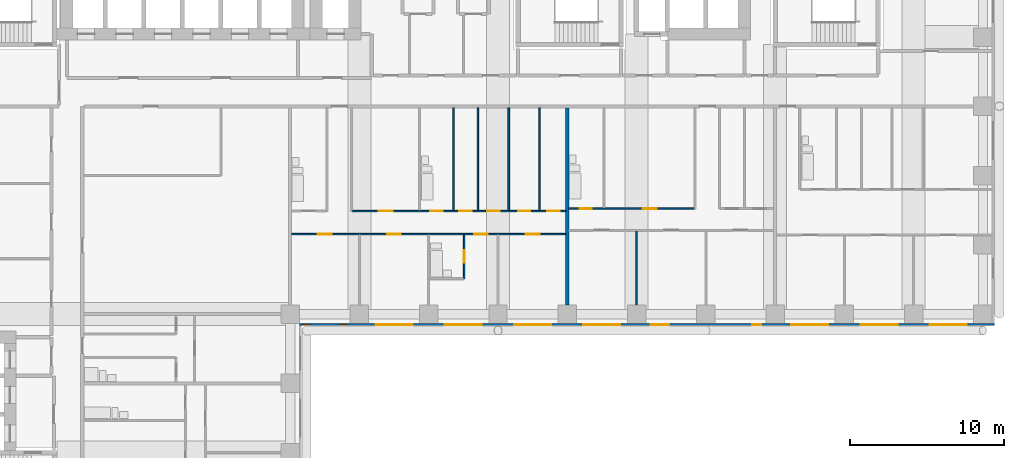
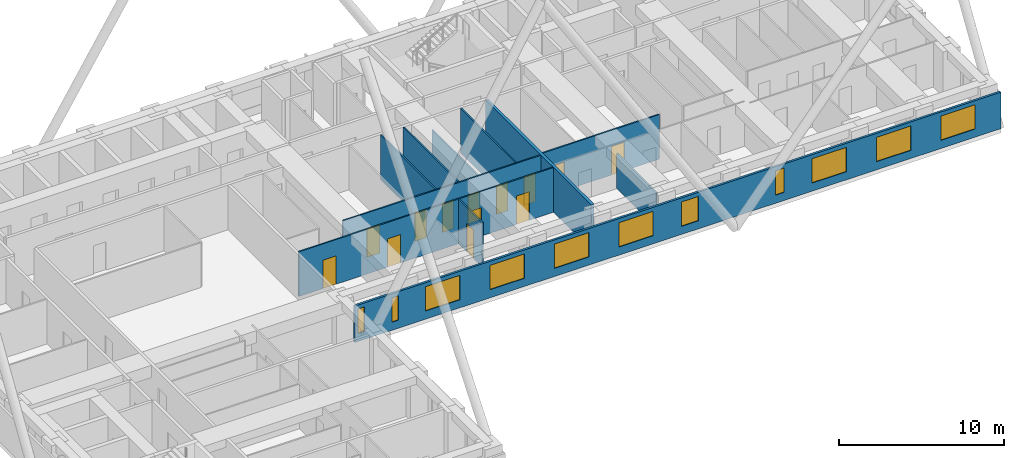
# One storey, part 7 of 13: 13 doors, 11 walls, 11 windows, 24 openings.
"""IFC4 building model written with IfcOpenShell, lengths in metres."""

from ifc_helpers import new_model, si_unit, direction, frame, frame_2d, origin, place, context, subcontext, project, spatial, rectangle, extrude, material, layer, layer_set, type_object, element, fill, save


model = new_model("IFC4")

# Units and contexts
model_context = context("Model", 3, precision=1e-05, world=origin(), true_north=direction((0.0, 1.0)))
body_context = subcontext(model_context, "Body", "Model", "MODEL_VIEW")
ifc_project = project(units=[si_unit("LENGTHUNIT", "METRE"), si_unit("AREAUNIT", "SQUARE_METRE"), si_unit("VOLUMEUNIT", "CUBIC_METRE"), si_unit("PLANEANGLEUNIT", "RADIAN"), si_unit("MASSUNIT", "GRAM", prefix="KILO")], contexts=[model_context])

# Site, building, storey
site_placement = place(None, origin())
site = spatial("IfcSite", under=ifc_project, at=site_placement, CompositionType="ELEMENT")
building_placement = place(site_placement, origin())
building = spatial("IfcBuilding", under=site, at=building_placement, Name="Firuza Court", CompositionType="ELEMENT")
storey_placement = place(building_placement, frame((0.0, 0.0, 50.60009765625)))
storey = spatial("IfcBuildingStorey", under=building, at=storey_placement, Name="L11", CompositionType="ELEMENT", Elevation=50.60009765625)

# Wall, opening, door
ifc_material_1 = material(Name="Moisture-resistant gypsum board partition")
ifc_layer_1 = layer(ifc_material_1, 0.10009765625)
ifc_layer_set_1 = layer_set([ifc_layer_1], Name="Moisture-resistant gypsum board partition")
wall_type_1 = type_object("IfcWallType", Name="Bathroom partition 100", PredefinedType="PLUMBINGWALL", material=ifc_layer_set_1)
wall_1_placement = place(storey_placement, frame((33.800048828125, 38.300048828125, 0.0), z_axis=(0.0, 0.0, 1.0), x_axis=(0.0, 1.0, 0.0)))
wall_1 = element("IfcWall", 1, at=wall_1_placement, inside=storey, type_object=wall_type_1, Name="Bathroom partition 100 L11", PredefinedType="PLUMBINGWALL", context=body_context, shape_type="SweptSolid", body=[
    extrude(rectangle(XDim=2.849853515625, YDim=0.10009765625, at=frame_2d((1.4248046875, 0.0))), origin(), (0.0, 0.0, 1.0), 3.2998046875),
])
opening_1_placement = place(wall_1_placement, frame((1.050048828125, 0.0, 0.0)))
opening_1 = element("IfcOpeningElement", 2, at=opening_1_placement, cuts=wall_1, Name="Opening D11043", PredefinedType="OPENING", context=body_context, shape_type="SweptSolid", body=[
    extrude(rectangle(XDim=0.800048828125, YDim=2.10009765625, at=frame_2d((0.39990234375, 1.050048828125))), frame((0.0, 0.06201171875, 0.0), z_axis=(0.0, -1.0, 0.0), x_axis=(1.0, 0.0, 0.0)), (0.0, 0.0, 1.0), 0.1240234375),
])
ifc_material_2 = material(Name="Timber door leaf in hardwood frame", Category="wood")
door_type_1 = type_object("IfcDoorType", Name="Bathroom door 800", OperationType="SINGLE_SWING_LEFT", PredefinedType="DOOR", material=ifc_material_2)
door_1_placement = place(opening_1_placement, origin())
door_1 = element("IfcDoor", 3, at=door_1_placement, inside=storey, type_object=door_type_1, Name="En-suite door", OperationType="SINGLE_SWING_LEFT", OverallHeight=2.10009765625, OverallWidth=0.800048828125, PredefinedType="DOOR", context=body_context, shape_type="SweptSolid", body=[
    extrude(rectangle(XDim=0.800048828125, YDim=2.10009765625, at=frame_2d((0.39990234375, 1.050048828125))), frame((0.0, 0.02490234375, 0.0), z_axis=(0.0, -1.0, 0.0), x_axis=(1.0, 0.0, 0.0)), (0.0, 0.0, 1.0), 0.050048828125),
])
fill(opening_1, door_1)

# Walls
wall_2_placement = place(storey_placement, frame((33.10009765625, 42.75, 0.0), z_axis=(0.0, 0.0, 1.0), x_axis=(0.0, 1.0, 0.0)))
element("IfcWall", 4, at=wall_2_placement, inside=storey, type_object=wall_type_1, Name="Bathroom partition 100 L11", PredefinedType="PLUMBINGWALL", context=body_context, shape_type="SweptSolid", body=[
    extrude(rectangle(XDim=6.64990234375, YDim=0.10009765625, at=frame_2d((3.324951171875, 0.0))), origin(), (0.0, 0.0, 1.0), 3.2998046875),
])
ifc_material_3 = material(Name="Timber stud partition, plasterboard both sides", Category="wood")
ifc_layer_2 = layer(ifc_material_3, 0.10009765625)
ifc_layer_set_2 = layer_set([ifc_layer_2], Name="Timber stud partition, plasterboard both sides")
wall_type_2 = type_object("IfcWallType", Name="Partition wall 100", PredefinedType="PARTITIONING", material=ifc_layer_set_2)
wall_3_placement = place(storey_placement, frame((45.0, 36.60009765625, 0.0), z_axis=(0.0, 0.0, 1.0), x_axis=(0.0, 1.0, 0.0)))
element("IfcWall", 5, at=wall_3_placement, inside=storey, type_object=wall_type_2, Name="Partition wall 100 L11", PredefinedType="PARTITIONING", context=body_context, shape_type="SweptSolid", body=[
    extrude(rectangle(XDim=4.7998046875, YDim=0.10009765625, at=frame_2d((2.39990234375, 0.0))), origin(), (0.0, 0.0, 1.0), 2.599853515625),
])

# Wall, openings, doors
wall_4_placement = place(storey_placement, frame((22.60009765625, 41.199951171875, 0.0), z_axis=(0.0, 0.0, 1.0), x_axis=(1.0, 0.0, 0.0)))
wall_4 = element("IfcWall", 6, at=wall_4_placement, inside=storey, type_object=wall_type_2, Name="Partition wall 100 L11", PredefinedType="PARTITIONING", context=body_context, shape_type="SweptSolid", body=[
    extrude(rectangle(XDim=17.7998046875, YDim=0.10009765625, at=frame_2d((8.89990234375, 0.0))), origin(), (0.0, 0.0, 1.0), 3.2998046875),
])
opening_2_placement = place(wall_4_placement, frame((1.699951171875, 0.0, 0.0)))
opening_2 = element("IfcOpeningElement", 7, at=opening_2_placement, cuts=wall_4, Name="Opening D11047", PredefinedType="OPENING", context=body_context, shape_type="SweptSolid", body=[
    extrude(rectangle(XDim=0.89990234375, YDim=2.10009765625, at=frame_2d((0.449951171875, 1.050048828125))), frame((0.0, 0.06201171875, 0.0), z_axis=(0.0, -1.0, 0.0), x_axis=(1.0, 0.0, 0.0)), (0.0, 0.0, 1.0), 0.1240234375),
])
opening_3_placement = place(wall_4_placement, frame((6.199951171875, 0.0, 0.0)))
opening_3 = element("IfcOpeningElement", 8, at=opening_3_placement, cuts=wall_4, Name="Opening D11048", PredefinedType="OPENING", context=body_context, shape_type="SweptSolid", body=[
    extrude(rectangle(XDim=0.89990234375, YDim=2.10009765625, at=frame_2d((0.449951171875, 1.050048828125))), frame((0.0, 0.06201171875, 0.0), z_axis=(0.0, -1.0, 0.0), x_axis=(1.0, 0.0, 0.0)), (0.0, 0.0, 1.0), 0.1240234375),
])
opening_4_placement = place(wall_4_placement, frame((11.85009765625, 0.0, 0.0)))
opening_4 = element("IfcOpeningElement", 9, at=opening_4_placement, cuts=wall_4, Name="Opening D11049", PredefinedType="OPENING", context=body_context, shape_type="SweptSolid", body=[
    extrude(rectangle(XDim=0.89990234375, YDim=2.10009765625, at=frame_2d((0.449951171875, 1.050048828125))), frame((0.0, 0.06201171875, 0.0), z_axis=(0.0, -1.0, 0.0), x_axis=(1.0, 0.0, 0.0)), (0.0, 0.0, 1.0), 0.1240234375),
])
opening_5_placement = place(wall_4_placement, frame((15.199951171875, 0.0, 0.0)))
opening_5 = element("IfcOpeningElement", 10, at=opening_5_placement, cuts=wall_4, Name="Opening D11050", PredefinedType="OPENING", context=body_context, shape_type="SweptSolid", body=[
    extrude(rectangle(XDim=0.89990234375, YDim=2.10009765625, at=frame_2d((0.449951171875, 1.050048828125))), frame((0.0, 0.06201171875, 0.0), z_axis=(0.0, -1.0, 0.0), x_axis=(1.0, 0.0, 0.0)), (0.0, 0.0, 1.0), 0.1240234375),
])
ifc_material_4 = material(Name="Timber door leaf in hardwood frame", Category="wood")
door_type_2 = type_object("IfcDoorType", Name="Room door 900", OperationType="SINGLE_SWING_LEFT", PredefinedType="DOOR", material=ifc_material_4)
door_2_placement = place(opening_2_placement, frame((0.89990234375, 0.0, 0.0), z_axis=(0.0, 0.0, 1.0), x_axis=(-1.0, 0.0, 0.0)))
door_2 = element("IfcDoor", 11, at=door_2_placement, inside=storey, type_object=door_type_2, Name="Bedroom door", OperationType="SINGLE_SWING_RIGHT", OverallHeight=2.10009765625, OverallWidth=0.89990234375, PredefinedType="DOOR", context=body_context, shape_type="SweptSolid", body=[
    extrude(rectangle(XDim=0.89990234375, YDim=2.10009765625, at=frame_2d((0.449951171875, 1.050048828125))), frame((0.0, 0.02490234375, 0.0), z_axis=(0.0, -1.0, 0.0), x_axis=(1.0, 0.0, 0.0)), (0.0, 0.0, 1.0), 0.050048828125),
])
fill(opening_2, door_2)
door_3_placement = place(opening_3_placement, frame((0.89990234375, 0.0, 0.0), z_axis=(0.0, 0.0, 1.0), x_axis=(-1.0, 0.0, 0.0)))
door_3 = element("IfcDoor", 12, at=door_3_placement, inside=storey, type_object=door_type_2, Name="Living room door", OperationType="SINGLE_SWING_RIGHT", OverallHeight=2.10009765625, OverallWidth=0.89990234375, PredefinedType="DOOR", context=body_context, shape_type="SweptSolid", body=[
    extrude(rectangle(XDim=0.89990234375, YDim=2.10009765625, at=frame_2d((0.449951171875, 1.050048828125))), frame((0.0, 0.02490234375, 0.0), z_axis=(0.0, -1.0, 0.0), x_axis=(1.0, 0.0, 0.0)), (0.0, 0.0, 1.0), 0.050048828125),
])
fill(opening_3, door_3)
door_4_placement = place(opening_4_placement, frame((0.89990234375, 0.0, 0.0), z_axis=(0.0, 0.0, 1.0), x_axis=(-1.0, 0.0, 0.0)))
door_4 = element("IfcDoor", 13, at=door_4_placement, inside=storey, type_object=door_type_2, Name="Bedroom door", OperationType="SINGLE_SWING_RIGHT", OverallHeight=2.10009765625, OverallWidth=0.89990234375, PredefinedType="DOOR", context=body_context, shape_type="SweptSolid", body=[
    extrude(rectangle(XDim=0.89990234375, YDim=2.10009765625, at=frame_2d((0.449951171875, 1.050048828125))), frame((0.0, 0.02490234375, 0.0), z_axis=(0.0, -1.0, 0.0), x_axis=(1.0, 0.0, 0.0)), (0.0, 0.0, 1.0), 0.050048828125),
])
fill(opening_4, door_4)
door_5_placement = place(opening_5_placement, frame((0.89990234375, 0.0, 0.0), z_axis=(0.0, 0.0, 1.0), x_axis=(-1.0, 0.0, 0.0)))
door_5 = element("IfcDoor", 14, at=door_5_placement, inside=storey, type_object=door_type_2, Name="Bedroom door", OperationType="SINGLE_SWING_RIGHT", OverallHeight=2.10009765625, OverallWidth=0.89990234375, PredefinedType="DOOR", context=body_context, shape_type="SweptSolid", body=[
    extrude(rectangle(XDim=0.89990234375, YDim=2.10009765625, at=frame_2d((0.449951171875, 1.050048828125))), frame((0.0, 0.02490234375, 0.0), z_axis=(0.0, -1.0, 0.0), x_axis=(1.0, 0.0, 0.0)), (0.0, 0.0, 1.0), 0.050048828125),
])
fill(opening_5, door_5)

wall_5_placement = place(storey_placement, frame((26.550048828125, 42.699951171875, 0.0), z_axis=(0.0, 0.0, 1.0), x_axis=(1.0, 0.0, 0.0)))
wall_5 = element("IfcWall", 15, at=wall_5_placement, inside=storey, type_object=wall_type_2, Name="Partition wall 100 L11", PredefinedType="PARTITIONING", context=body_context, shape_type="SweptSolid", body=[
    extrude(rectangle(XDim=13.849853515625, YDim=0.10009765625, at=frame_2d((6.9248046875, 0.0))), origin(), (0.0, 0.0, 1.0), 3.2998046875),
])
opening_6_placement = place(wall_5_placement, frame((5.050048828125, 0.0, 0.0)))
opening_6 = element("IfcOpeningElement", 16, at=opening_6_placement, cuts=wall_5, Name="Opening D11055", PredefinedType="OPENING", context=body_context, shape_type="SweptSolid", body=[
    extrude(rectangle(XDim=0.800048828125, YDim=2.10009765625, at=frame_2d((0.39990234375, 1.050048828125))), frame((0.0, 0.06201171875, 0.0), z_axis=(0.0, -1.0, 0.0), x_axis=(1.0, 0.0, 0.0)), (0.0, 0.0, 1.0), 0.1240234375),
])
opening_7_placement = place(wall_5_placement, frame((1.699951171875, 0.0, 0.0)))
opening_7 = element("IfcOpeningElement", 17, at=opening_7_placement, cuts=wall_5, Name="Opening D11056", PredefinedType="OPENING", context=body_context, shape_type="SweptSolid", body=[
    extrude(rectangle(XDim=0.89990234375, YDim=2.10009765625, at=frame_2d((0.449951171875, 1.050048828125))), frame((0.0, 0.06201171875, 0.0), z_axis=(0.0, -1.0, 0.0), x_axis=(1.0, 0.0, 0.0)), (0.0, 0.0, 1.0), 0.1240234375),
])
opening_8_placement = place(wall_5_placement, frame((10.75, 0.0, 0.0)))
opening_8 = element("IfcOpeningElement", 18, at=opening_8_placement, cuts=wall_5, Name="Opening D11057", PredefinedType="OPENING", context=body_context, shape_type="SweptSolid", body=[
    extrude(rectangle(XDim=0.800048828125, YDim=2.10009765625, at=frame_2d((0.39990234375, 1.050048828125))), frame((0.0, 0.06201171875, 0.0), z_axis=(0.0, -1.0, 0.0), x_axis=(1.0, 0.0, 0.0)), (0.0, 0.0, 1.0), 0.1240234375),
])
opening_9_placement = place(wall_5_placement, frame((6.949951171875, 0.0, 0.0)))
opening_9 = element("IfcOpeningElement", 19, at=opening_9_placement, cuts=wall_5, Name="Opening D11058", PredefinedType="OPENING", context=body_context, shape_type="SweptSolid", body=[
    extrude(rectangle(XDim=0.800048828125, YDim=2.10009765625, at=frame_2d((0.39990234375, 1.050048828125))), frame((0.0, 0.06201171875, 0.0), z_axis=(0.0, -1.0, 0.0), x_axis=(1.0, 0.0, 0.0)), (0.0, 0.0, 1.0), 0.1240234375),
])
opening_10_placement = place(wall_5_placement, frame((8.75, 0.0, 0.0)))
opening_10 = element("IfcOpeningElement", 20, at=opening_10_placement, cuts=wall_5, Name="Opening D11059", PredefinedType="OPENING", context=body_context, shape_type="SweptSolid", body=[
    extrude(rectangle(XDim=0.800048828125, YDim=2.10009765625, at=frame_2d((0.39990234375, 1.050048828125))), frame((0.0, 0.06201171875, 0.0), z_axis=(0.0, -1.0, 0.0), x_axis=(1.0, 0.0, 0.0)), (0.0, 0.0, 1.0), 0.1240234375),
])
opening_11_placement = place(wall_5_placement, frame((12.64990234375, 0.0, 0.0)))
opening_11 = element("IfcOpeningElement", 21, at=opening_11_placement, cuts=wall_5, Name="Opening D11060", PredefinedType="OPENING", context=body_context, shape_type="SweptSolid", body=[
    extrude(rectangle(XDim=0.800048828125, YDim=2.10009765625, at=frame_2d((0.39990234375, 1.050048828125))), frame((0.0, 0.06201171875, 0.0), z_axis=(0.0, -1.0, 0.0), x_axis=(1.0, 0.0, 0.0)), (0.0, 0.0, 1.0), 0.1240234375),
])
door_6_placement = place(opening_6_placement, origin())
door_6 = element("IfcDoor", 22, at=door_6_placement, inside=storey, type_object=door_type_1, Name="Bathroom 2 door", OperationType="SINGLE_SWING_LEFT", OverallHeight=2.10009765625, OverallWidth=0.800048828125, PredefinedType="DOOR", context=body_context, shape_type="SweptSolid", body=[
    extrude(rectangle(XDim=0.800048828125, YDim=2.10009765625, at=frame_2d((0.39990234375, 1.050048828125))), frame((0.0, 0.02490234375, 0.0), z_axis=(0.0, -1.0, 0.0), x_axis=(1.0, 0.0, 0.0)), (0.0, 0.0, 1.0), 0.050048828125),
])
fill(opening_6, door_6)
ifc_material_5 = material(Name="Timber door leaf in hardwood frame", Category="wood")
door_type_3 = type_object("IfcDoorType", Name="Room door 800", OperationType="SINGLE_SWING_LEFT", PredefinedType="DOOR", material=ifc_material_5)
door_7_placement = place(opening_8_placement, origin())
door_7 = element("IfcDoor", 23, at=door_7_placement, inside=storey, type_object=door_type_3, Name="Pantry door", OperationType="SINGLE_SWING_LEFT", OverallHeight=2.10009765625, OverallWidth=0.800048828125, PredefinedType="DOOR", context=body_context, shape_type="SweptSolid", body=[
    extrude(rectangle(XDim=0.800048828125, YDim=2.10009765625, at=frame_2d((0.39990234375, 1.050048828125))), frame((0.0, 0.02490234375, 0.0), z_axis=(0.0, -1.0, 0.0), x_axis=(1.0, 0.0, 0.0)), (0.0, 0.0, 1.0), 0.050048828125),
])
fill(opening_8, door_7)
door_8_placement = place(opening_9_placement, origin())
door_8 = element("IfcDoor", 24, at=door_8_placement, inside=storey, type_object=door_type_3, Name="Store door", OperationType="SINGLE_SWING_LEFT", OverallHeight=2.10009765625, OverallWidth=0.800048828125, PredefinedType="DOOR", context=body_context, shape_type="SweptSolid", body=[
    extrude(rectangle(XDim=0.800048828125, YDim=2.10009765625, at=frame_2d((0.39990234375, 1.050048828125))), frame((0.0, 0.02490234375, 0.0), z_axis=(0.0, -1.0, 0.0), x_axis=(1.0, 0.0, 0.0)), (0.0, 0.0, 1.0), 0.050048828125),
])
fill(opening_9, door_8)
door_9_placement = place(opening_10_placement, origin())
door_9 = element("IfcDoor", 25, at=door_9_placement, inside=storey, type_object=door_type_3, Name="Utility room door", OperationType="SINGLE_SWING_LEFT", OverallHeight=2.10009765625, OverallWidth=0.800048828125, PredefinedType="DOOR", context=body_context, shape_type="SweptSolid", body=[
    extrude(rectangle(XDim=0.800048828125, YDim=2.10009765625, at=frame_2d((0.39990234375, 1.050048828125))), frame((0.0, 0.02490234375, 0.0), z_axis=(0.0, -1.0, 0.0), x_axis=(1.0, 0.0, 0.0)), (0.0, 0.0, 1.0), 0.050048828125),
])
fill(opening_10, door_9)
door_10_placement = place(opening_11_placement, origin())
door_10 = element("IfcDoor", 26, at=door_10_placement, inside=storey, type_object=door_type_3, Name="Walk-in wardrobe door", OperationType="SINGLE_SWING_LEFT", OverallHeight=2.10009765625, OverallWidth=0.800048828125, PredefinedType="DOOR", context=body_context, shape_type="SweptSolid", body=[
    extrude(rectangle(XDim=0.800048828125, YDim=2.10009765625, at=frame_2d((0.39990234375, 1.050048828125))), frame((0.0, 0.02490234375, 0.0), z_axis=(0.0, -1.0, 0.0), x_axis=(1.0, 0.0, 0.0)), (0.0, 0.0, 1.0), 0.050048828125),
])
fill(opening_11, door_10)
door_11_placement = place(opening_7_placement, origin())
door_11 = element("IfcDoor", 27, at=door_11_placement, inside=storey, type_object=door_type_2, Name="Kitchen door", OperationType="SINGLE_SWING_LEFT", OverallHeight=2.10009765625, OverallWidth=0.89990234375, PredefinedType="DOOR", context=body_context, shape_type="SweptSolid", body=[
    extrude(rectangle(XDim=0.89990234375, YDim=2.10009765625, at=frame_2d((0.449951171875, 1.050048828125))), frame((0.0, 0.02490234375, 0.0), z_axis=(0.0, -1.0, 0.0), x_axis=(1.0, 0.0, 0.0)), (0.0, 0.0, 1.0), 0.050048828125),
])
fill(opening_7, door_11)

# Walls
wall_6_placement = place(storey_placement, frame((34.699951171875, 42.75, 0.0), z_axis=(0.0, 0.0, 1.0), x_axis=(0.0, 1.0, 0.0)))
element("IfcWall", 28, at=wall_6_placement, inside=storey, type_object=wall_type_2, Name="Partition wall 100 L11", PredefinedType="PARTITIONING", context=body_context, shape_type="SweptSolid", body=[
    extrude(rectangle(XDim=6.64990234375, YDim=0.10009765625, at=frame_2d((3.324951171875, 0.0))), origin(), (0.0, 0.0, 1.0), 3.2998046875),
])
wall_7_placement = place(storey_placement, frame((36.699951171875, 42.75, 0.0), z_axis=(0.0, 0.0, 1.0), x_axis=(0.0, 1.0, 0.0)))
element("IfcWall", 29, at=wall_7_placement, inside=storey, type_object=wall_type_2, Name="Partition wall 100 L11", PredefinedType="PARTITIONING", context=body_context, shape_type="SweptSolid", body=[
    extrude(rectangle(XDim=6.64990234375, YDim=0.10009765625, at=frame_2d((3.324951171875, 0.0))), origin(), (0.0, 0.0, 1.0), 2.39990234375),
])
wall_8_placement = place(storey_placement, frame((38.699951171875, 42.75, 0.0), z_axis=(0.0, 0.0, 1.0), x_axis=(0.0, 1.0, 0.0)))
element("IfcWall", 30, at=wall_8_placement, inside=storey, type_object=wall_type_2, Name="Partition wall 100 L11", PredefinedType="PARTITIONING", context=body_context, shape_type="SweptSolid", body=[
    extrude(rectangle(XDim=6.64990234375, YDim=0.10009765625, at=frame_2d((3.324951171875, 0.0))), origin(), (0.0, 0.0, 1.0), 3.2998046875),
])

# Wall, openings, doors
wall_9_placement = place(storey_placement, frame((40.60009765625, 42.85009765625, 0.0), z_axis=(0.0, 0.0, 1.0), x_axis=(1.0, 0.0, 0.0)))
wall_9 = element("IfcWall", 31, at=wall_9_placement, inside=storey, type_object=wall_type_2, Name="Partition wall 100 L11", PredefinedType="PARTITIONING", context=body_context, shape_type="SweptSolid", body=[
    extrude(rectangle(XDim=8.14990234375, YDim=0.10009765625, at=frame_2d((4.074951171875, 0.0))), origin(), (0.0, 0.0, 1.0), 3.2998046875),
])
opening_12_placement = place(wall_9_placement, frame((0.699951171875, 0.0, 0.0)))
opening_12 = element("IfcOpeningElement", 32, at=opening_12_placement, cuts=wall_9, Name="Opening D11061", PredefinedType="OPENING", context=body_context, shape_type="SweptSolid", body=[
    extrude(rectangle(XDim=0.800048828125, YDim=2.10009765625, at=frame_2d((0.39990234375, 1.050048828125))), frame((0.0, 0.06201171875, 0.0), z_axis=(0.0, -1.0, 0.0), x_axis=(1.0, 0.0, 0.0)), (0.0, 0.0, 1.0), 0.1240234375),
])
opening_13_placement = place(wall_9_placement, frame((4.800048828125, 0.0, 0.0)))
opening_13 = element("IfcOpeningElement", 33, at=opening_13_placement, cuts=wall_9, Name="Opening D11062", PredefinedType="OPENING", context=body_context, shape_type="SweptSolid", body=[
    extrude(rectangle(XDim=0.89990234375, YDim=2.10009765625, at=frame_2d((0.449951171875, 1.050048828125))), frame((0.0, 0.06201171875, 0.0), z_axis=(0.0, -1.0, 0.0), x_axis=(1.0, 0.0, 0.0)), (0.0, 0.0, 1.0), 0.1240234375),
])
door_12_placement = place(opening_12_placement, origin())
door_12 = element("IfcDoor", 34, at=door_12_placement, inside=storey, type_object=door_type_1, Name="Bathroom door", OperationType="SINGLE_SWING_LEFT", OverallHeight=2.10009765625, OverallWidth=0.800048828125, PredefinedType="DOOR", context=body_context, shape_type="SweptSolid", body=[
    extrude(rectangle(XDim=0.800048828125, YDim=2.10009765625, at=frame_2d((0.39990234375, 1.050048828125))), frame((0.0, 0.02490234375, 0.0), z_axis=(0.0, -1.0, 0.0), x_axis=(1.0, 0.0, 0.0)), (0.0, 0.0, 1.0), 0.050048828125),
])
fill(opening_12, door_12)
door_13_placement = place(opening_13_placement, origin())
door_13 = element("IfcDoor", 35, at=door_13_placement, inside=storey, type_object=door_type_2, Name="Kitchen door", OperationType="SINGLE_SWING_LEFT", OverallHeight=2.10009765625, OverallWidth=0.89990234375, PredefinedType="DOOR", context=body_context, shape_type="SweptSolid", body=[
    extrude(rectangle(XDim=0.89990234375, YDim=2.10009765625, at=frame_2d((0.449951171875, 1.050048828125))), frame((0.0, 0.02490234375, 0.0), z_axis=(0.0, -1.0, 0.0), x_axis=(1.0, 0.0, 0.0)), (0.0, 0.0, 1.0), 0.050048828125),
])
fill(opening_13, door_13)

# Wall
ifc_material_6 = material(Name="Blockwork, plastered both sides", Category="masonry")
ifc_layer_3 = layer(ifc_material_6, 0.199951171875)
ifc_layer_set_3 = layer_set([ifc_layer_3], Name="Blockwork, plastered both sides")
wall_type_3 = type_object("IfcWallType", Name="Party wall 200", PredefinedType="PARTITIONING", material=ifc_layer_set_3)
wall_10_placement = place(storey_placement, frame((40.5, 36.60009765625, 0.0), z_axis=(0.0, 0.0, 1.0), x_axis=(0.0, 1.0, 0.0)))
element("IfcWall", 36, at=wall_10_placement, inside=storey, type_object=wall_type_3, Name="Party wall 200 L11", PredefinedType="PARTITIONING", context=body_context, shape_type="SweptSolid", body=[
    extrude(rectangle(XDim=12.7998046875, YDim=0.199951171875, at=frame_2d((6.39990234375, 0.0))), origin(), (0.0, 0.0, 1.0), 3.2998046875),
])

# Wall, openings, windows
ifc_material_7 = material(Name="Ceramic tile", Category="ceramic")
ifc_layer_4 = layer(ifc_material_7, 0.02001953125)
ifc_material_8 = material(Name="Mineral wool insulation", Category="insulation")
ifc_layer_5 = layer(ifc_material_8, 0.050048828125)
ifc_material_9 = material(Name="Concrete C40/50 precast", Category="concrete")
ifc_layer_6 = layer(ifc_material_9, 0.080078125)
ifc_layer_set_4 = layer_set([ifc_layer_4, ifc_layer_5, ifc_layer_6], Name="Concrete C40/50 precast")
wall_type_4 = type_object("IfcWallType", Name="Precast cladding wall with turquoise TILE PANEL face 150", PredefinedType="STANDARD", material=ifc_layer_set_4)
wall_11_placement = place(storey_placement, frame((23.10009765625, 35.324951171875, 0.0), z_axis=(0.0, 0.0, 1.0), x_axis=(1.0, 0.0, 0.0)))
wall_11 = element("IfcWall", 37, at=wall_11_placement, inside=storey, type_object=wall_type_4, Name="Facade wall L11 S", PredefinedType="STANDARD", context=body_context, shape_type="SweptSolid", body=[
    extrude(rectangle(XDim=45.14990234375, YDim=0.14990234375, at=frame_2d((22.574951171875, 0.0))), origin(), (0.0, 0.0, 1.0), 2.699951171875),
])
opening_14_placement = place(wall_11_placement, frame((0.235107421875, 0.0, 0.60009765625)))
opening_14 = element("IfcOpeningElement", 38, at=opening_14_placement, cuts=wall_11, Name="Opening W5", PredefinedType="OPENING", context=body_context, shape_type="SweptSolid", body=[
    extrude(rectangle(XDim=0.449951171875, YDim=1.800048828125, at=frame_2d((0.22509765625, 0.89990234375))), frame((0.0, 0.0869140625, 0.0), z_axis=(0.0, -1.0, 0.0), x_axis=(1.0, 0.0, 0.0)), (0.0, 0.0, 1.0), 0.173828125),
])
opening_15_placement = place(wall_11_placement, frame((2.60546875, 0.0, 0.60009765625)))
opening_15 = element("IfcOpeningElement", 39, at=opening_15_placement, cuts=wall_11, Name="Opening W5", PredefinedType="OPENING", context=body_context, shape_type="SweptSolid", body=[
    extrude(rectangle(XDim=0.449951171875, YDim=1.800048828125, at=frame_2d((0.22509765625, 0.89990234375))), frame((0.0, 0.0869140625, 0.0), z_axis=(0.0, -1.0, 0.0), x_axis=(1.0, 0.0, 0.0)), (0.0, 0.0, 1.0), 0.173828125),
])
opening_16_placement = place(wall_11_placement, frame((4.949951171875, 0.0, 0.60009765625)))
opening_16 = element("IfcOpeningElement", 40, at=opening_16_placement, cuts=wall_11, Name="Opening W1", PredefinedType="OPENING", context=body_context, shape_type="SweptSolid", body=[
    extrude(rectangle(XDim=2.39990234375, YDim=1.800048828125, at=frame_2d((1.199951171875, 0.89990234375))), frame((0.0, 0.0869140625, 0.0), z_axis=(0.0, -1.0, 0.0), x_axis=(1.0, 0.0, 0.0)), (0.0, 0.0, 1.0), 0.173828125),
])
opening_17_placement = place(wall_11_placement, frame((9.449951171875, 0.0, 0.60009765625)))
opening_17 = element("IfcOpeningElement", 41, at=opening_17_placement, cuts=wall_11, Name="Opening W1", PredefinedType="OPENING", context=body_context, shape_type="SweptSolid", body=[
    extrude(rectangle(XDim=2.39990234375, YDim=1.800048828125, at=frame_2d((1.199951171875, 0.89990234375))), frame((0.0, 0.0869140625, 0.0), z_axis=(0.0, -1.0, 0.0), x_axis=(1.0, 0.0, 0.0)), (0.0, 0.0, 1.0), 0.173828125),
])
opening_18_placement = place(wall_11_placement, frame((13.949951171875, 0.0, 0.60009765625)))
opening_18 = element("IfcOpeningElement", 42, at=opening_18_placement, cuts=wall_11, Name="Opening W1", PredefinedType="OPENING", context=body_context, shape_type="SweptSolid", body=[
    extrude(rectangle(XDim=2.39990234375, YDim=1.800048828125, at=frame_2d((1.199951171875, 0.89990234375))), frame((0.0, 0.0869140625, 0.0), z_axis=(0.0, -1.0, 0.0), x_axis=(1.0, 0.0, 0.0)), (0.0, 0.0, 1.0), 0.173828125),
])
opening_19_placement = place(wall_11_placement, frame((18.449951171875, 0.0, 0.60009765625)))
opening_19 = element("IfcOpeningElement", 43, at=opening_19_placement, cuts=wall_11, Name="Opening W1", PredefinedType="OPENING", context=body_context, shape_type="SweptSolid", body=[
    extrude(rectangle(XDim=2.39990234375, YDim=1.800048828125, at=frame_2d((1.199951171875, 0.89990234375))), frame((0.0, 0.0869140625, 0.0), z_axis=(0.0, -1.0, 0.0), x_axis=(1.0, 0.0, 0.0)), (0.0, 0.0, 1.0), 0.173828125),
])
opening_20_placement = place(wall_11_placement, frame((22.8232421875, 0.0, 0.60009765625)))
opening_20 = element("IfcOpeningElement", 44, at=opening_20_placement, cuts=wall_11, Name="Opening W8", PredefinedType="OPENING", context=body_context, shape_type="SweptSolid", body=[
    extrude(rectangle(XDim=1.199951171875, YDim=1.800048828125, at=frame_2d((0.60009765625, 0.89990234375))), frame((0.0, 0.0869140625, 0.0), z_axis=(0.0, -1.0, 0.0), x_axis=(1.0, 0.0, 0.0)), (0.0, 0.0, 1.0), 0.173828125),
])
opening_21_placement = place(wall_11_placement, frame((29.402587890625, 0.0, 0.60009765625)))
opening_21 = element("IfcOpeningElement", 45, at=opening_21_placement, cuts=wall_11, Name="Opening W4", PredefinedType="OPENING", context=body_context, shape_type="SweptSolid", body=[
    extrude(rectangle(XDim=0.60009765625, YDim=1.800048828125, at=frame_2d((0.300048828125, 0.89990234375))), frame((0.0, 0.0869140625, 0.0), z_axis=(0.0, -1.0, 0.0), x_axis=(1.0, 0.0, 0.0)), (0.0, 0.0, 1.0), 0.173828125),
])
opening_22_placement = place(wall_11_placement, frame((31.949951171875, 0.0, 0.60009765625)))
opening_22 = element("IfcOpeningElement", 46, at=opening_22_placement, cuts=wall_11, Name="Opening W1", PredefinedType="OPENING", context=body_context, shape_type="SweptSolid", body=[
    extrude(rectangle(XDim=2.39990234375, YDim=1.800048828125, at=frame_2d((1.199951171875, 0.89990234375))), frame((0.0, 0.0869140625, 0.0), z_axis=(0.0, -1.0, 0.0), x_axis=(1.0, 0.0, 0.0)), (0.0, 0.0, 1.0), 0.173828125),
])
opening_23_placement = place(wall_11_placement, frame((36.449951171875, 0.0, 0.60009765625)))
opening_23 = element("IfcOpeningElement", 47, at=opening_23_placement, cuts=wall_11, Name="Opening W1", PredefinedType="OPENING", context=body_context, shape_type="SweptSolid", body=[
    extrude(rectangle(XDim=2.39990234375, YDim=1.800048828125, at=frame_2d((1.199951171875, 0.89990234375))), frame((0.0, 0.0869140625, 0.0), z_axis=(0.0, -1.0, 0.0), x_axis=(1.0, 0.0, 0.0)), (0.0, 0.0, 1.0), 0.173828125),
])
opening_24_placement = place(wall_11_placement, frame((40.949951171875, 0.0, 0.60009765625)))
opening_24 = element("IfcOpeningElement", 48, at=opening_24_placement, cuts=wall_11, Name="Opening W1", PredefinedType="OPENING", context=body_context, shape_type="SweptSolid", body=[
    extrude(rectangle(XDim=2.39990234375, YDim=1.800048828125, at=frame_2d((1.199951171875, 0.89990234375))), frame((0.0, 0.0869140625, 0.0), z_axis=(0.0, -1.0, 0.0), x_axis=(1.0, 0.0, 0.0)), (0.0, 0.0, 1.0), 0.173828125),
])
ifc_material_10 = material(Name="Aluminium frame, triple clear glazing", Category="aluminium")
window_type_1 = type_object("IfcWindowType", Name="Window W1 2400 x 1800", PartitioningType="SINGLE_PANEL", PredefinedType="WINDOW", material=ifc_material_10)
window_1_placement = place(opening_16_placement, origin())
window_1 = element("IfcWindow", 49, at=window_1_placement, inside=storey, type_object=window_type_1, Name="Window L11", OverallHeight=1.800048828125, OverallWidth=2.39990234375, PartitioningType="SINGLE_PANEL", PredefinedType="WINDOW", context=body_context, shape_type="SweptSolid", body=[
    extrude(rectangle(XDim=2.39990234375, YDim=1.800048828125, at=frame_2d((1.199951171875, 0.89990234375))), frame((0.0, 0.030029296875, 0.0), z_axis=(0.0, -1.0, 0.0), x_axis=(1.0, 0.0, 0.0)), (0.0, 0.0, 1.0), 0.06005859375),
])
fill(opening_16, window_1)
window_2_placement = place(opening_17_placement, origin())
window_2 = element("IfcWindow", 50, at=window_2_placement, inside=storey, type_object=window_type_1, Name="Window L11", OverallHeight=1.800048828125, OverallWidth=2.39990234375, PartitioningType="SINGLE_PANEL", PredefinedType="WINDOW", context=body_context, shape_type="SweptSolid", body=[
    extrude(rectangle(XDim=2.39990234375, YDim=1.800048828125, at=frame_2d((1.199951171875, 0.89990234375))), frame((0.0, 0.030029296875, 0.0), z_axis=(0.0, -1.0, 0.0), x_axis=(1.0, 0.0, 0.0)), (0.0, 0.0, 1.0), 0.06005859375),
])
fill(opening_17, window_2)
window_3_placement = place(opening_18_placement, origin())
window_3 = element("IfcWindow", 51, at=window_3_placement, inside=storey, type_object=window_type_1, Name="Window L11", OverallHeight=1.800048828125, OverallWidth=2.39990234375, PartitioningType="SINGLE_PANEL", PredefinedType="WINDOW", context=body_context, shape_type="SweptSolid", body=[
    extrude(rectangle(XDim=2.39990234375, YDim=1.800048828125, at=frame_2d((1.199951171875, 0.89990234375))), frame((0.0, 0.030029296875, 0.0), z_axis=(0.0, -1.0, 0.0), x_axis=(1.0, 0.0, 0.0)), (0.0, 0.0, 1.0), 0.06005859375),
])
fill(opening_18, window_3)
window_4_placement = place(opening_19_placement, origin())
window_4 = element("IfcWindow", 52, at=window_4_placement, inside=storey, type_object=window_type_1, Name="Window L11", OverallHeight=1.800048828125, OverallWidth=2.39990234375, PartitioningType="SINGLE_PANEL", PredefinedType="WINDOW", context=body_context, shape_type="SweptSolid", body=[
    extrude(rectangle(XDim=2.39990234375, YDim=1.800048828125, at=frame_2d((1.199951171875, 0.89990234375))), frame((0.0, 0.030029296875, 0.0), z_axis=(0.0, -1.0, 0.0), x_axis=(1.0, 0.0, 0.0)), (0.0, 0.0, 1.0), 0.06005859375),
])
fill(opening_19, window_4)
window_5_placement = place(opening_22_placement, origin())
window_5 = element("IfcWindow", 53, at=window_5_placement, inside=storey, type_object=window_type_1, Name="Window L11", OverallHeight=1.800048828125, OverallWidth=2.39990234375, PartitioningType="SINGLE_PANEL", PredefinedType="WINDOW", context=body_context, shape_type="SweptSolid", body=[
    extrude(rectangle(XDim=2.39990234375, YDim=1.800048828125, at=frame_2d((1.199951171875, 0.89990234375))), frame((0.0, 0.030029296875, 0.0), z_axis=(0.0, -1.0, 0.0), x_axis=(1.0, 0.0, 0.0)), (0.0, 0.0, 1.0), 0.06005859375),
])
fill(opening_22, window_5)
window_6_placement = place(opening_23_placement, origin())
window_6 = element("IfcWindow", 54, at=window_6_placement, inside=storey, type_object=window_type_1, Name="Window L11", OverallHeight=1.800048828125, OverallWidth=2.39990234375, PartitioningType="SINGLE_PANEL", PredefinedType="WINDOW", context=body_context, shape_type="SweptSolid", body=[
    extrude(rectangle(XDim=2.39990234375, YDim=1.800048828125, at=frame_2d((1.199951171875, 0.89990234375))), frame((0.0, 0.030029296875, 0.0), z_axis=(0.0, -1.0, 0.0), x_axis=(1.0, 0.0, 0.0)), (0.0, 0.0, 1.0), 0.06005859375),
])
fill(opening_23, window_6)
window_7_placement = place(opening_24_placement, origin())
window_7 = element("IfcWindow", 55, at=window_7_placement, inside=storey, type_object=window_type_1, Name="Window L11", OverallHeight=1.800048828125, OverallWidth=2.39990234375, PartitioningType="SINGLE_PANEL", PredefinedType="WINDOW", context=body_context, shape_type="SweptSolid", body=[
    extrude(rectangle(XDim=2.39990234375, YDim=1.800048828125, at=frame_2d((1.199951171875, 0.89990234375))), frame((0.0, 0.030029296875, 0.0), z_axis=(0.0, -1.0, 0.0), x_axis=(1.0, 0.0, 0.0)), (0.0, 0.0, 1.0), 0.06005859375),
])
fill(opening_24, window_7)
ifc_material_11 = material(Name="Aluminium frame, triple clear glazing", Category="aluminium")
window_type_2 = type_object("IfcWindowType", Name="Window W4 600 x 1800", PartitioningType="SINGLE_PANEL", PredefinedType="WINDOW", material=ifc_material_11)
window_8_placement = place(opening_21_placement, origin())
window_8 = element("IfcWindow", 56, at=window_8_placement, inside=storey, type_object=window_type_2, Name="Window L11", OverallHeight=1.800048828125, OverallWidth=0.60009765625, PartitioningType="SINGLE_PANEL", PredefinedType="WINDOW", context=body_context, shape_type="SweptSolid", body=[
    extrude(rectangle(XDim=0.60009765625, YDim=1.800048828125, at=frame_2d((0.300048828125, 0.89990234375))), frame((0.0, 0.030029296875, 0.0), z_axis=(0.0, -1.0, 0.0), x_axis=(1.0, 0.0, 0.0)), (0.0, 0.0, 1.0), 0.06005859375),
])
fill(opening_21, window_8)
ifc_material_12 = material(Name="Aluminium frame, triple clear glazing", Category="aluminium")
window_type_3 = type_object("IfcWindowType", Name="Window W5 450 x 1800", PartitioningType="SINGLE_PANEL", PredefinedType="WINDOW", material=ifc_material_12)
window_9_placement = place(opening_14_placement, origin())
window_9 = element("IfcWindow", 57, at=window_9_placement, inside=storey, type_object=window_type_3, Name="Window L11", OverallHeight=1.800048828125, OverallWidth=0.449951171875, PartitioningType="SINGLE_PANEL", PredefinedType="WINDOW", context=body_context, shape_type="SweptSolid", body=[
    extrude(rectangle(XDim=0.449951171875, YDim=1.800048828125, at=frame_2d((0.22509765625, 0.89990234375))), frame((0.0, 0.030029296875, 0.0), z_axis=(0.0, -1.0, 0.0), x_axis=(1.0, 0.0, 0.0)), (0.0, 0.0, 1.0), 0.06005859375),
])
fill(opening_14, window_9)
window_10_placement = place(opening_15_placement, origin())
window_10 = element("IfcWindow", 58, at=window_10_placement, inside=storey, type_object=window_type_3, Name="Window L11", OverallHeight=1.800048828125, OverallWidth=0.449951171875, PartitioningType="SINGLE_PANEL", PredefinedType="WINDOW", context=body_context, shape_type="SweptSolid", body=[
    extrude(rectangle(XDim=0.449951171875, YDim=1.800048828125, at=frame_2d((0.22509765625, 0.89990234375))), frame((0.0, 0.030029296875, 0.0), z_axis=(0.0, -1.0, 0.0), x_axis=(1.0, 0.0, 0.0)), (0.0, 0.0, 1.0), 0.06005859375),
])
fill(opening_15, window_10)
ifc_material_13 = material(Name="Aluminium frame, triple clear glazing", Category="aluminium")
window_type_4 = type_object("IfcWindowType", Name="Window W8 1200 x 1800", PartitioningType="SINGLE_PANEL", PredefinedType="WINDOW", material=ifc_material_13)
window_11_placement = place(opening_20_placement, origin())
window_11 = element("IfcWindow", 59, at=window_11_placement, inside=storey, type_object=window_type_4, Name="Window L11", OverallHeight=1.800048828125, OverallWidth=1.199951171875, PartitioningType="SINGLE_PANEL", PredefinedType="WINDOW", context=body_context, shape_type="SweptSolid", body=[
    extrude(rectangle(XDim=1.199951171875, YDim=1.800048828125, at=frame_2d((0.60009765625, 0.89990234375))), frame((0.0, 0.030029296875, 0.0), z_axis=(0.0, -1.0, 0.0), x_axis=(1.0, 0.0, 0.0)), (0.0, 0.0, 1.0), 0.06005859375),
])
fill(opening_20, window_11)

save(model, "model.ifc")
